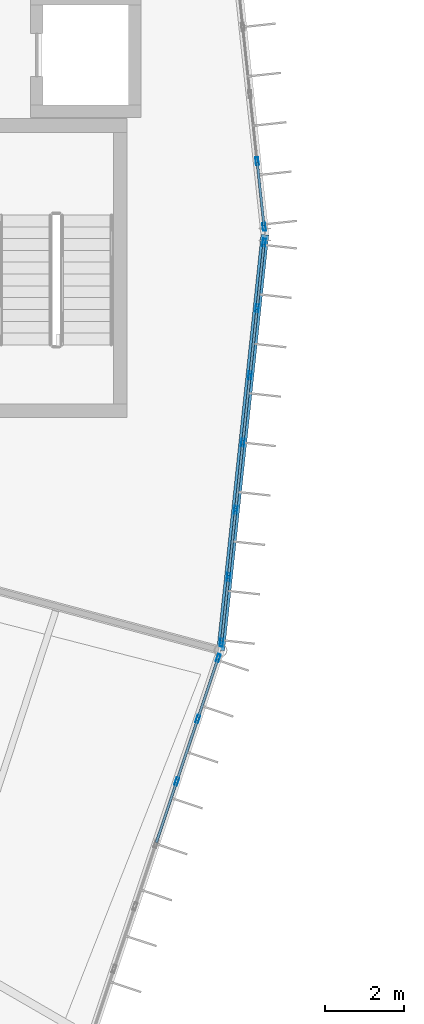
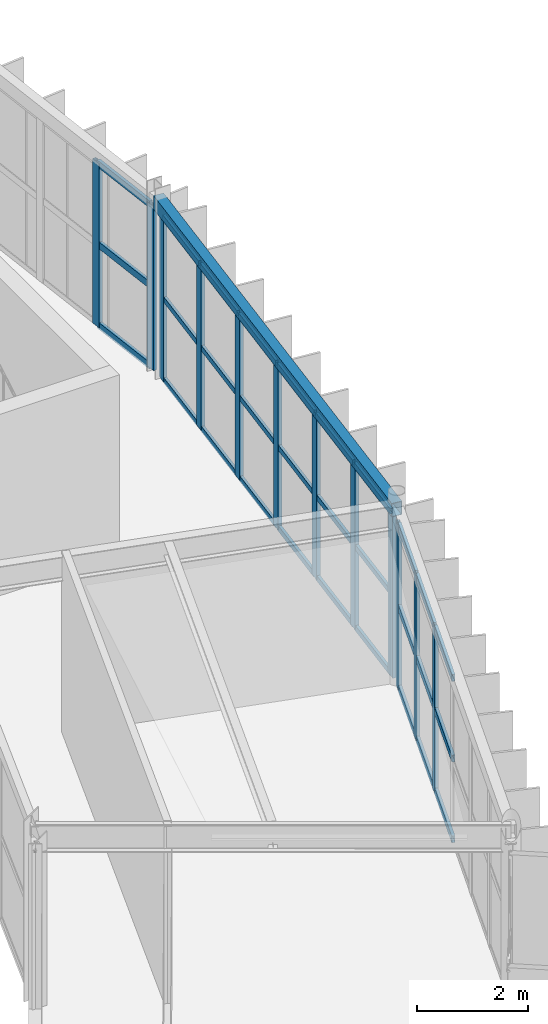
# One storey, part 65 of 147: 42 members, 1 beam, 3 elements without a shape of their own.
"""IFC4 building model written with IfcOpenShell, lengths in metres."""

from ifc_helpers import new_model, si_unit, direction, frame, origin, origin_2d, place, context, subcontext, project, spatial, hollow_rectangle, extrude, material, material_profile, profile_set, type_object, element, aggregate, save


model = new_model("IFC4")

# Units and contexts
model_context = context("Model", 3, precision=1e-05, world=origin(), true_north=direction((0.0, 1.0)))
body_context = subcontext(model_context, "Body", "Model", "MODEL_VIEW")
ifc_project = project(units=[si_unit("LENGTHUNIT", "METRE"), si_unit("AREAUNIT", "SQUARE_METRE"), si_unit("VOLUMEUNIT", "CUBIC_METRE"), si_unit("PLANEANGLEUNIT", "RADIAN"), si_unit("MASSUNIT", "GRAM", prefix="KILO")], contexts=[model_context])

# Site, building, storey
site_placement = place(None, origin())
site = spatial("IfcSite", under=ifc_project, at=site_placement, CompositionType="ELEMENT")
building_placement = place(site_placement, origin())
building = spatial("IfcBuilding", under=site, at=building_placement, Name="Karori Crest Natural Sciences Institute", CompositionType="ELEMENT")
storey_placement = place(building_placement, frame((0.0, 0.0, 9.10009765625)))
storey = spatial("IfcBuildingStorey", under=building, at=storey_placement, Name="L02", CompositionType="ELEMENT", Elevation=9.10009765625)

# Beam
ifc_material_1 = material(Name="Hollow structural steel AS/NZS 1163 Grade C350", Category="steel")
ifc_material_profile_1 = material_profile(ifc_material_1, hollow_rectangle(XDim=0.199951171875, YDim=0.300048828125, WallThickness=0.010009765625, at=origin_2d()), Name="RHS300x200x10")
ifc_profile_set_1 = profile_set([ifc_material_profile_1], Name="Hollow structural steel AS/NZS 1163 Grade C350")
beam_type = type_object("IfcBeamType", Name="BT-15", PredefinedType="SPANDREL", material=ifc_profile_set_1)
beam_placement = place(storey_placement, frame((98.275634765625, 39.340087890625, 3.789794921875), z_axis=(0.105868278464, 0.994380162521, 0.0), x_axis=(-0.994380162521, 0.105868278464, 0.0)))
element("IfcBeam", 1, at=beam_placement, inside=storey, type_object=beam_type, Name="Beam B-0358", PredefinedType="SPANDREL", context=body_context, shape_type="SweptSolid", body=[
    extrude(hollow_rectangle(XDim=0.199951171875, YDim=0.300048828125, WallThickness=0.010009765625, at=origin_2d()), origin(), (0.0, 0.0, 1.0), 10.619384765625),
])

# Curtain wall, members
ifc_material_2 = material(Name="Anodised architectural aluminium 6063-T6", Category="aluminium")
curtain_wall_type_1 = type_object("IfcCurtainWallType", Name="CWT-01", PredefinedType="NOTDEFINED", material=ifc_material_2)
curtain_wall_1_placement = place(storey_placement, origin())
curtain_wall_1 = element("IfcCurtainWall", 2, at=curtain_wall_1_placement, inside=storey, type_object=curtain_wall_type_1, Name="Curtain wall CW-0065", PredefinedType="NOTDEFINED")
ifc_material_profile_2 = material_profile(ifc_material_2, hollow_rectangle(XDim=0.074951171875, YDim=0.199951171875, WallThickness=0.0048828125, at=origin_2d()), Name="CWM200x75x5")
ifc_profile_set_2 = profile_set([ifc_material_profile_2], Name="Anodised architectural aluminium 6063-T6")
member_type_1 = type_object("IfcMemberType", Name="CWM-02", PredefinedType="MULLION", material=ifc_profile_set_2)
member_1_placement = place(storey_placement, frame((99.201416015625, 51.765380859375, 0.0), z_axis=(0.0, 0.0, 1.0), x_axis=(0.994378742451, 0.105881615789, 0.0)))
member_1 = element("IfcMember", 3, at=member_1_placement, type_object=member_type_1, Name="CW-0065 mullion 6", PredefinedType="MULLION", context=body_context, shape_type="SweptSolid", body=[
    extrude(hollow_rectangle(XDim=0.074951171875, YDim=0.199951171875, WallThickness=0.0048828125, at=origin_2d()), origin(), (0.0, 0.0, 1.0), 3.625),
])
member_2_placement = place(storey_placement, frame((99.37890625, 50.098876953125, 0.0), z_axis=(0.0, 0.0, 1.0), x_axis=(0.994378742451, 0.105881615789, 0.0)))
member_2 = element("IfcMember", 4, at=member_2_placement, type_object=member_type_1, Name="CW-0065 mullion 7", PredefinedType="MULLION", context=body_context, shape_type="SweptSolid", body=[
    extrude(hollow_rectangle(XDim=0.074951171875, YDim=0.199951171875, WallThickness=0.0048828125, at=origin_2d()), origin(), (0.0, 0.0, 1.0), 3.625),
])

curtain_wall_type_2 = type_object("IfcCurtainWallType", Name="CWT-03", PredefinedType="NOTDEFINED", material=ifc_material_2)
curtain_wall_2_placement = place(storey_placement, origin())
curtain_wall_2 = element("IfcCurtainWall", 5, at=curtain_wall_2_placement, inside=storey, type_object=curtain_wall_type_2, Name="Curtain wall CW-0097", PredefinedType="NOTDEFINED")
member_3_placement = place(storey_placement, frame((98.212890625, 39.15283203125, 0.0), z_axis=(0.0, 0.0, 1.0), x_axis=(0.948196219586, -0.317685267462, 0.0)))
member_3 = element("IfcMember", 6, at=member_3_placement, type_object=member_type_1, Name="CW-0097 mullion 1", PredefinedType="MULLION", context=body_context, shape_type="SweptSolid", body=[
    extrude(hollow_rectangle(XDim=0.074951171875, YDim=0.199951171875, WallThickness=0.0048828125, at=origin_2d()), origin(), (0.0, 0.0, 1.0), 3.625),
])
member_4_placement = place(storey_placement, frame((97.693115234375, 37.6015625, 0.0), z_axis=(0.0, 0.0, 1.0), x_axis=(0.948196219586, -0.317685267462, 0.0)))
member_4 = element("IfcMember", 7, at=member_4_placement, type_object=member_type_1, Name="CW-0097 mullion 2", PredefinedType="MULLION", context=body_context, shape_type="SweptSolid", body=[
    extrude(hollow_rectangle(XDim=0.074951171875, YDim=0.199951171875, WallThickness=0.0048828125, at=origin_2d()), origin(), (0.0, 0.0, 1.0), 3.625),
])
member_5_placement = place(storey_placement, frame((97.161376953125, 36.0146484375, 0.0), z_axis=(0.0, 0.0, 1.0), x_axis=(0.948196219586, -0.317685267462, 0.0)))
member_5 = element("IfcMember", 8, at=member_5_placement, type_object=member_type_1, Name="CW-0097 mullion 3", PredefinedType="MULLION", context=body_context, shape_type="SweptSolid", body=[
    extrude(hollow_rectangle(XDim=0.074951171875, YDim=0.199951171875, WallThickness=0.0048828125, at=origin_2d()), origin(), (0.0, 0.0, 1.0), 3.625),
])

curtain_wall_type_3 = type_object("IfcCurtainWallType", Name="CWT-04", PredefinedType="NOTDEFINED", material=ifc_material_2)
curtain_wall_3_placement = place(storey_placement, origin())
curtain_wall_3 = element("IfcCurtainWall", 9, at=curtain_wall_3_placement, inside=storey, type_object=curtain_wall_type_3, Name="Curtain wall CW-0099", PredefinedType="NOTDEFINED")
member_6_placement = place(storey_placement, frame((99.37890625, 49.701171875, 0.0), z_axis=(0.0, 0.0, 1.0), x_axis=(0.994378453478, -0.105884329618, 0.0)))
member_6 = element("IfcMember", 10, at=member_6_placement, type_object=member_type_1, Name="CW-0099 mullion 1", PredefinedType="MULLION", context=body_context, shape_type="SweptSolid", body=[
    extrude(hollow_rectangle(XDim=0.074951171875, YDim=0.199951171875, WallThickness=0.0048828125, at=origin_2d()), origin(), (0.0, 0.0, 1.0), 3.625),
])
member_7_placement = place(storey_placement, frame((99.201171875, 48.031982421875, 0.0), z_axis=(0.0, 0.0, 1.0), x_axis=(0.994378453478, -0.105884329618, 0.0)))
member_7 = element("IfcMember", 11, at=member_7_placement, type_object=member_type_1, Name="CW-0099 mullion 2", PredefinedType="MULLION", context=body_context, shape_type="SweptSolid", body=[
    extrude(hollow_rectangle(XDim=0.074951171875, YDim=0.199951171875, WallThickness=0.0048828125, at=origin_2d()), origin(), (0.0, 0.0, 1.0), 3.625),
])
member_8_placement = place(storey_placement, frame((99.019287109375, 46.325439453125, 0.0), z_axis=(0.0, 0.0, 1.0), x_axis=(0.994378453478, -0.105884329618, 0.0)))
member_8 = element("IfcMember", 12, at=member_8_placement, type_object=member_type_1, Name="CW-0099 mullion 3", PredefinedType="MULLION", context=body_context, shape_type="SweptSolid", body=[
    extrude(hollow_rectangle(XDim=0.074951171875, YDim=0.199951171875, WallThickness=0.0048828125, at=origin_2d()), origin(), (0.0, 0.0, 1.0), 3.625),
])
member_9_placement = place(storey_placement, frame((98.837646484375, 44.618896484375, 0.0), z_axis=(0.0, 0.0, 1.0), x_axis=(0.994378453478, -0.105884329618, 0.0)))
member_9 = element("IfcMember", 13, at=member_9_placement, type_object=member_type_1, Name="CW-0099 mullion 4", PredefinedType="MULLION", context=body_context, shape_type="SweptSolid", body=[
    extrude(hollow_rectangle(XDim=0.074951171875, YDim=0.199951171875, WallThickness=0.0048828125, at=origin_2d()), origin(), (0.0, 0.0, 1.0), 3.625),
])
member_10_placement = place(storey_placement, frame((98.656005859375, 42.912353515625, 0.0), z_axis=(0.0, 0.0, 1.0), x_axis=(0.994378453478, -0.105884329618, 0.0)))
member_10 = element("IfcMember", 14, at=member_10_placement, type_object=member_type_1, Name="CW-0099 mullion 5", PredefinedType="MULLION", context=body_context, shape_type="SweptSolid", body=[
    extrude(hollow_rectangle(XDim=0.074951171875, YDim=0.199951171875, WallThickness=0.0048828125, at=origin_2d()), origin(), (0.0, 0.0, 1.0), 3.625),
])
member_11_placement = place(storey_placement, frame((98.47412109375, 41.205810546875, 0.0), z_axis=(0.0, 0.0, 1.0), x_axis=(0.994378453478, -0.105884329618, 0.0)))
member_11 = element("IfcMember", 15, at=member_11_placement, type_object=member_type_1, Name="CW-0099 mullion 6", PredefinedType="MULLION", context=body_context, shape_type="SweptSolid", body=[
    extrude(hollow_rectangle(XDim=0.074951171875, YDim=0.199951171875, WallThickness=0.0048828125, at=origin_2d()), origin(), (0.0, 0.0, 1.0), 3.625),
])
member_12_placement = place(storey_placement, frame((98.29638671875, 39.53662109375, 0.0), z_axis=(0.0, 0.0, 1.0), x_axis=(0.994378453478, -0.105884329618, 0.0)))
member_12 = element("IfcMember", 16, at=member_12_placement, type_object=member_type_1, Name="CW-0099 mullion 7", PredefinedType="MULLION", context=body_context, shape_type="SweptSolid", body=[
    extrude(hollow_rectangle(XDim=0.074951171875, YDim=0.199951171875, WallThickness=0.0048828125, at=origin_2d()), origin(), (0.0, 0.0, 1.0), 3.625),
])
ifc_material_profile_3 = material_profile(ifc_material_2, hollow_rectangle(XDim=0.06005859375, YDim=0.1201171875, WallThickness=0.00390625, at=origin_2d()), Name="CWT120x60x4")
ifc_profile_set_3 = profile_set([ifc_material_profile_3], Name="Anodised architectural aluminium 6063-T6")
member_type_2 = type_object("IfcMemberType", Name="CWT-TR1", PredefinedType="USERDEFINED", material=ifc_profile_set_3)
member_13_placement = place(storey_placement, frame((99.374755859375, 49.663818359375, 0.02978515625), z_axis=(-0.105818086962, -0.994385504959, 0.0), x_axis=(0.994385504959, -0.105818086962, 0.0)))
member_13 = element("IfcMember", 17, at=member_13_placement, type_object=member_type_2, Name="CW-0099 transom 1.1", ObjectType="TRANSOM", PredefinedType="USERDEFINED", context=body_context, shape_type="SweptSolid", body=[
    extrude(hollow_rectangle(XDim=0.06005859375, YDim=0.1201171875, WallThickness=0.00390625, at=origin_2d()), origin(), (0.0, 0.0, 1.0), 1.603515625),
])
member_14_placement = place(storey_placement, frame((99.374755859375, 49.663818359375, 1.8125), z_axis=(-0.105818086962, -0.994385504959, 0.0), x_axis=(0.994385504959, -0.105818086962, 0.0)))
member_14 = element("IfcMember", 18, at=member_14_placement, type_object=member_type_2, Name="CW-0099 transom 1.2", ObjectType="TRANSOM", PredefinedType="USERDEFINED", context=body_context, shape_type="SweptSolid", body=[
    extrude(hollow_rectangle(XDim=0.06005859375, YDim=0.1201171875, WallThickness=0.00390625, at=origin_2d()), origin(), (0.0, 0.0, 1.0), 1.603515625),
])
member_15_placement = place(storey_placement, frame((99.374755859375, 49.663818359375, 3.594970703125), z_axis=(-0.105818086962, -0.994385504959, 0.0), x_axis=(0.994385504959, -0.105818086962, 0.0)))
member_15 = element("IfcMember", 19, at=member_15_placement, type_object=member_type_2, Name="CW-0099 transom 1.3", ObjectType="TRANSOM", PredefinedType="USERDEFINED", context=body_context, shape_type="SweptSolid", body=[
    extrude(hollow_rectangle(XDim=0.06005859375, YDim=0.1201171875, WallThickness=0.00390625, at=origin_2d()), origin(), (0.0, 0.0, 1.0), 1.603515625),
])
member_16_placement = place(storey_placement, frame((99.197021484375, 47.99462890625, 0.02978515625), z_axis=(-0.105776664792, -0.994389912049, 0.0), x_axis=(0.994389912049, -0.105776664792, 0.0)))
member_16 = element("IfcMember", 20, at=member_16_placement, type_object=member_type_2, Name="CW-0099 transom 2.1", ObjectType="TRANSOM", PredefinedType="USERDEFINED", context=body_context, shape_type="SweptSolid", body=[
    extrude(hollow_rectangle(XDim=0.06005859375, YDim=0.1201171875, WallThickness=0.00390625, at=origin_2d()), origin(), (0.0, 0.0, 1.0), 1.64111328125),
])
member_17_placement = place(storey_placement, frame((99.197021484375, 47.99462890625, 1.8125), z_axis=(-0.105776664792, -0.994389912049, 0.0), x_axis=(0.994389912049, -0.105776664792, 0.0)))
member_17 = element("IfcMember", 21, at=member_17_placement, type_object=member_type_2, Name="CW-0099 transom 2.2", ObjectType="TRANSOM", PredefinedType="USERDEFINED", context=body_context, shape_type="SweptSolid", body=[
    extrude(hollow_rectangle(XDim=0.06005859375, YDim=0.1201171875, WallThickness=0.00390625, at=origin_2d()), origin(), (0.0, 0.0, 1.0), 1.64111328125),
])
member_18_placement = place(storey_placement, frame((99.197021484375, 47.99462890625, 3.594970703125), z_axis=(-0.105776664792, -0.994389912049, 0.0), x_axis=(0.994389912049, -0.105776664792, 0.0)))
member_18 = element("IfcMember", 22, at=member_18_placement, type_object=member_type_2, Name="CW-0099 transom 2.3", ObjectType="TRANSOM", PredefinedType="USERDEFINED", context=body_context, shape_type="SweptSolid", body=[
    extrude(hollow_rectangle(XDim=0.06005859375, YDim=0.1201171875, WallThickness=0.00390625, at=origin_2d()), origin(), (0.0, 0.0, 1.0), 1.64111328125),
])
member_19_placement = place(storey_placement, frame((99.015380859375, 46.2880859375, 0.02978515625), z_axis=(-0.105923768436, -0.994374253126, 0.0), x_axis=(0.994374253126, -0.105923768436, 0.0)))
member_19 = element("IfcMember", 23, at=member_19_placement, type_object=member_type_2, Name="CW-0099 transom 3.1", ObjectType="TRANSOM", PredefinedType="USERDEFINED", context=body_context, shape_type="SweptSolid", body=[
    extrude(hollow_rectangle(XDim=0.06005859375, YDim=0.1201171875, WallThickness=0.00390625, at=origin_2d()), origin(), (0.0, 0.0, 1.0), 1.64111328125),
])
member_20_placement = place(storey_placement, frame((99.015380859375, 46.2880859375, 1.8125), z_axis=(-0.105923768436, -0.994374253126, 0.0), x_axis=(0.994374253126, -0.105923768436, 0.0)))
member_20 = element("IfcMember", 24, at=member_20_placement, type_object=member_type_2, Name="CW-0099 transom 3.2", ObjectType="TRANSOM", PredefinedType="USERDEFINED", context=body_context, shape_type="SweptSolid", body=[
    extrude(hollow_rectangle(XDim=0.06005859375, YDim=0.1201171875, WallThickness=0.00390625, at=origin_2d()), origin(), (0.0, 0.0, 1.0), 1.64111328125),
])
member_21_placement = place(storey_placement, frame((99.015380859375, 46.2880859375, 3.594970703125), z_axis=(-0.105923768436, -0.994374253126, 0.0), x_axis=(0.994374253126, -0.105923768436, 0.0)))
member_21 = element("IfcMember", 25, at=member_21_placement, type_object=member_type_2, Name="CW-0099 transom 3.3", ObjectType="TRANSOM", PredefinedType="USERDEFINED", context=body_context, shape_type="SweptSolid", body=[
    extrude(hollow_rectangle(XDim=0.06005859375, YDim=0.1201171875, WallThickness=0.00390625, at=origin_2d()), origin(), (0.0, 0.0, 1.0), 1.64111328125),
])
member_22_placement = place(storey_placement, frame((98.833740234375, 44.58154296875, 0.02978515625), z_axis=(-0.105923768436, -0.994374253126, 0.0), x_axis=(0.994374253126, -0.105923768436, 0.0)))
member_22 = element("IfcMember", 26, at=member_22_placement, type_object=member_type_2, Name="CW-0099 transom 4.1", ObjectType="TRANSOM", PredefinedType="USERDEFINED", context=body_context, shape_type="SweptSolid", body=[
    extrude(hollow_rectangle(XDim=0.06005859375, YDim=0.1201171875, WallThickness=0.00390625, at=origin_2d()), origin(), (0.0, 0.0, 1.0), 1.64111328125),
])
member_23_placement = place(storey_placement, frame((98.833740234375, 44.58154296875, 1.8125), z_axis=(-0.105923768436, -0.994374253126, 0.0), x_axis=(0.994374253126, -0.105923768436, 0.0)))
member_23 = element("IfcMember", 27, at=member_23_placement, type_object=member_type_2, Name="CW-0099 transom 4.2", ObjectType="TRANSOM", PredefinedType="USERDEFINED", context=body_context, shape_type="SweptSolid", body=[
    extrude(hollow_rectangle(XDim=0.06005859375, YDim=0.1201171875, WallThickness=0.00390625, at=origin_2d()), origin(), (0.0, 0.0, 1.0), 1.64111328125),
])
member_24_placement = place(storey_placement, frame((98.833740234375, 44.58154296875, 3.594970703125), z_axis=(-0.105923768436, -0.994374253126, 0.0), x_axis=(0.994374253126, -0.105923768436, 0.0)))
member_24 = element("IfcMember", 28, at=member_24_placement, type_object=member_type_2, Name="CW-0099 transom 4.3", ObjectType="TRANSOM", PredefinedType="USERDEFINED", context=body_context, shape_type="SweptSolid", body=[
    extrude(hollow_rectangle(XDim=0.06005859375, YDim=0.1201171875, WallThickness=0.00390625, at=origin_2d()), origin(), (0.0, 0.0, 1.0), 1.64111328125),
])
member_25_placement = place(storey_placement, frame((98.65185546875, 42.875, 0.02978515625), z_axis=(-0.105776664792, -0.994389912049, 0.0), x_axis=(0.994389912049, -0.105776664792, 0.0)))
member_25 = element("IfcMember", 29, at=member_25_placement, type_object=member_type_2, Name="CW-0099 transom 5.1", ObjectType="TRANSOM", PredefinedType="USERDEFINED", context=body_context, shape_type="SweptSolid", body=[
    extrude(hollow_rectangle(XDim=0.06005859375, YDim=0.1201171875, WallThickness=0.00390625, at=origin_2d()), origin(), (0.0, 0.0, 1.0), 1.64111328125),
])
member_26_placement = place(storey_placement, frame((98.65185546875, 42.875, 1.8125), z_axis=(-0.105776664792, -0.994389912049, 0.0), x_axis=(0.994389912049, -0.105776664792, 0.0)))
member_26 = element("IfcMember", 30, at=member_26_placement, type_object=member_type_2, Name="CW-0099 transom 5.2", ObjectType="TRANSOM", PredefinedType="USERDEFINED", context=body_context, shape_type="SweptSolid", body=[
    extrude(hollow_rectangle(XDim=0.06005859375, YDim=0.1201171875, WallThickness=0.00390625, at=origin_2d()), origin(), (0.0, 0.0, 1.0), 1.64111328125),
])
member_27_placement = place(storey_placement, frame((98.65185546875, 42.875, 3.594970703125), z_axis=(-0.105776664792, -0.994389912049, 0.0), x_axis=(0.994389912049, -0.105776664792, 0.0)))
member_27 = element("IfcMember", 31, at=member_27_placement, type_object=member_type_2, Name="CW-0099 transom 5.3", ObjectType="TRANSOM", PredefinedType="USERDEFINED", context=body_context, shape_type="SweptSolid", body=[
    extrude(hollow_rectangle(XDim=0.06005859375, YDim=0.1201171875, WallThickness=0.00390625, at=origin_2d()), origin(), (0.0, 0.0, 1.0), 1.64111328125),
])
member_28_placement = place(storey_placement, frame((98.47021484375, 41.16845703125, 0.02978515625), z_axis=(-0.105818086962, -0.994385504959, 0.0), x_axis=(0.994385504959, -0.105818086962, 0.0)))
member_28 = element("IfcMember", 32, at=member_28_placement, type_object=member_type_2, Name="CW-0099 transom 6.1", ObjectType="TRANSOM", PredefinedType="USERDEFINED", context=body_context, shape_type="SweptSolid", body=[
    extrude(hollow_rectangle(XDim=0.06005859375, YDim=0.1201171875, WallThickness=0.00390625, at=origin_2d()), origin(), (0.0, 0.0, 1.0), 1.603515625),
])
member_29_placement = place(storey_placement, frame((98.47021484375, 41.16845703125, 1.8125), z_axis=(-0.105818086962, -0.994385504959, 0.0), x_axis=(0.994385504959, -0.105818086962, 0.0)))
member_29 = element("IfcMember", 33, at=member_29_placement, type_object=member_type_2, Name="CW-0099 transom 6.2", ObjectType="TRANSOM", PredefinedType="USERDEFINED", context=body_context, shape_type="SweptSolid", body=[
    extrude(hollow_rectangle(XDim=0.06005859375, YDim=0.1201171875, WallThickness=0.00390625, at=origin_2d()), origin(), (0.0, 0.0, 1.0), 1.603515625),
])
member_30_placement = place(storey_placement, frame((98.47021484375, 41.16845703125, 3.594970703125), z_axis=(-0.105818086962, -0.994385504959, 0.0), x_axis=(0.994385504959, -0.105818086962, 0.0)))
member_30 = element("IfcMember", 34, at=member_30_placement, type_object=member_type_2, Name="CW-0099 transom 6.3", ObjectType="TRANSOM", PredefinedType="USERDEFINED", context=body_context, shape_type="SweptSolid", body=[
    extrude(hollow_rectangle(XDim=0.06005859375, YDim=0.1201171875, WallThickness=0.00390625, at=origin_2d()), origin(), (0.0, 0.0, 1.0), 1.603515625),
])
aggregate(curtain_wall_3, [member_6, member_7, member_8, member_9, member_10, member_11, member_12, member_13, member_14, member_15, member_16, member_17, member_18, member_19, member_20, member_21, member_22, member_23, member_24, member_25, member_26, member_27, member_28, member_29, member_30])

# Member
ifc_material_profile_4 = material_profile(ifc_material_2, hollow_rectangle(XDim=0.06494140625, YDim=0.14990234375, WallThickness=0.00390625, at=origin_2d()), Name="CWT150x65x4")
ifc_profile_set_4 = profile_set([ifc_material_profile_4], Name="Anodised architectural aluminium 6063-T6")
member_type_3 = type_object("IfcMemberType", Name="CWT-TR2", PredefinedType="USERDEFINED", material=ifc_profile_set_4)
member_31_placement = place(storey_placement, frame((99.205322265625, 51.72802734375, 0.032470703125), z_axis=(0.105827760466, -0.9943844755, 0.0), x_axis=(0.9943844755, 0.105827760466, 0.0)))
member_31 = element("IfcMember", 35, at=member_31_placement, type_object=member_type_3, Name="CW-0065 transom 6.1", ObjectType="TRANSOM", PredefinedType="USERDEFINED", context=body_context, shape_type="SweptSolid", body=[
    extrude(hollow_rectangle(XDim=0.06494140625, YDim=0.14990234375, WallThickness=0.00390625, at=origin_2d()), origin(), (0.0, 0.0, 1.0), 1.60107421875),
])

member_32_placement = place(storey_placement, frame((99.205322265625, 51.72802734375, 1.8125), z_axis=(0.105827760466, -0.9943844755, 0.0), x_axis=(0.9943844755, 0.105827760466, 0.0)))
member_32 = element("IfcMember", 36, at=member_32_placement, type_object=member_type_3, Name="CW-0065 transom 6.2", ObjectType="TRANSOM", PredefinedType="USERDEFINED", context=body_context, shape_type="SweptSolid", body=[
    extrude(hollow_rectangle(XDim=0.06494140625, YDim=0.14990234375, WallThickness=0.00390625, at=origin_2d()), origin(), (0.0, 0.0, 1.0), 1.60107421875),
])

member_33_placement = place(storey_placement, frame((99.205322265625, 51.72802734375, 3.59228515625), z_axis=(0.105827760466, -0.9943844755, 0.0), x_axis=(0.9943844755, 0.105827760466, 0.0)))
member_33 = element("IfcMember", 37, at=member_33_placement, type_object=member_type_3, Name="CW-0065 transom 6.3", ObjectType="TRANSOM", PredefinedType="USERDEFINED", context=body_context, shape_type="SweptSolid", body=[
    extrude(hollow_rectangle(XDim=0.06494140625, YDim=0.14990234375, WallThickness=0.00390625, at=origin_2d()), origin(), (0.0, 0.0, 1.0), 1.60107421875),
])

aggregate(curtain_wall_1, [member_1, member_2, member_31, member_32, member_33])

member_34_placement = place(storey_placement, frame((98.200927734375, 39.117431640625, 0.032470703125), z_axis=(-0.317634958397, -0.948213073736, 0.0), x_axis=(0.948213073736, -0.317634958397, 0.0)))
member_34 = element("IfcMember", 38, at=member_34_placement, type_object=member_type_3, Name="CW-0097 transom 1.1", ObjectType="TRANSOM", PredefinedType="USERDEFINED", context=body_context, shape_type="SweptSolid", body=[
    extrude(hollow_rectangle(XDim=0.06494140625, YDim=0.14990234375, WallThickness=0.00390625, at=origin_2d()), origin(), (0.0, 0.0, 1.0), 1.56103515625),
])

member_35_placement = place(storey_placement, frame((98.200927734375, 39.117431640625, 1.8125), z_axis=(-0.317634958397, -0.948213073736, 0.0), x_axis=(0.948213073736, -0.317634958397, 0.0)))
member_35 = element("IfcMember", 39, at=member_35_placement, type_object=member_type_3, Name="CW-0097 transom 1.2", ObjectType="TRANSOM", PredefinedType="USERDEFINED", context=body_context, shape_type="SweptSolid", body=[
    extrude(hollow_rectangle(XDim=0.06494140625, YDim=0.14990234375, WallThickness=0.00390625, at=origin_2d()), origin(), (0.0, 0.0, 1.0), 1.56103515625),
])

member_36_placement = place(storey_placement, frame((98.200927734375, 39.117431640625, 3.59228515625), z_axis=(-0.317634958397, -0.948213073736, 0.0), x_axis=(0.948213073736, -0.317634958397, 0.0)))
member_36 = element("IfcMember", 40, at=member_36_placement, type_object=member_type_3, Name="CW-0097 transom 1.3", ObjectType="TRANSOM", PredefinedType="USERDEFINED", context=body_context, shape_type="SweptSolid", body=[
    extrude(hollow_rectangle(XDim=0.06494140625, YDim=0.14990234375, WallThickness=0.00390625, at=origin_2d()), origin(), (0.0, 0.0, 1.0), 1.56103515625),
])

member_37_placement = place(storey_placement, frame((97.68115234375, 37.56591796875, 0.032470703125), z_axis=(-0.317647663217, -0.948208817747, 0.0), x_axis=(0.948208817747, -0.317647663217, 0.0)))
member_37 = element("IfcMember", 41, at=member_37_placement, type_object=member_type_3, Name="CW-0097 transom 2.1", ObjectType="TRANSOM", PredefinedType="USERDEFINED", context=body_context, shape_type="SweptSolid", body=[
    extrude(hollow_rectangle(XDim=0.06494140625, YDim=0.14990234375, WallThickness=0.00390625, at=origin_2d()), origin(), (0.0, 0.0, 1.0), 1.5986328125),
])

member_38_placement = place(storey_placement, frame((97.68115234375, 37.56591796875, 1.8125), z_axis=(-0.317647663217, -0.948208817747, 0.0), x_axis=(0.948208817747, -0.317647663217, 0.0)))
member_38 = element("IfcMember", 42, at=member_38_placement, type_object=member_type_3, Name="CW-0097 transom 2.2", ObjectType="TRANSOM", PredefinedType="USERDEFINED", context=body_context, shape_type="SweptSolid", body=[
    extrude(hollow_rectangle(XDim=0.06494140625, YDim=0.14990234375, WallThickness=0.00390625, at=origin_2d()), origin(), (0.0, 0.0, 1.0), 1.5986328125),
])

member_39_placement = place(storey_placement, frame((97.68115234375, 37.56591796875, 3.59228515625), z_axis=(-0.317647663217, -0.948208817747, 0.0), x_axis=(0.948208817747, -0.317647663217, 0.0)))
member_39 = element("IfcMember", 43, at=member_39_placement, type_object=member_type_3, Name="CW-0097 transom 2.3", ObjectType="TRANSOM", PredefinedType="USERDEFINED", context=body_context, shape_type="SweptSolid", body=[
    extrude(hollow_rectangle(XDim=0.06494140625, YDim=0.14990234375, WallThickness=0.00390625, at=origin_2d()), origin(), (0.0, 0.0, 1.0), 1.5986328125),
])

member_40_placement = place(storey_placement, frame((97.1494140625, 35.97900390625, 0.032470703125), z_axis=(-0.317647663217, -0.948208817747, 0.0), x_axis=(0.948208817747, -0.317647663217, 0.0)))
member_40 = element("IfcMember", 44, at=member_40_placement, type_object=member_type_3, Name="CW-0097 transom 3.1", ObjectType="TRANSOM", PredefinedType="USERDEFINED", context=body_context, shape_type="SweptSolid", body=[
    extrude(hollow_rectangle(XDim=0.06494140625, YDim=0.14990234375, WallThickness=0.00390625, at=origin_2d()), origin(), (0.0, 0.0, 1.0), 1.5986328125),
])

member_41_placement = place(storey_placement, frame((97.1494140625, 35.97900390625, 1.8125), z_axis=(-0.317647663217, -0.948208817747, 0.0), x_axis=(0.948208817747, -0.317647663217, 0.0)))
member_41 = element("IfcMember", 45, at=member_41_placement, type_object=member_type_3, Name="CW-0097 transom 3.2", ObjectType="TRANSOM", PredefinedType="USERDEFINED", context=body_context, shape_type="SweptSolid", body=[
    extrude(hollow_rectangle(XDim=0.06494140625, YDim=0.14990234375, WallThickness=0.00390625, at=origin_2d()), origin(), (0.0, 0.0, 1.0), 1.5986328125),
])

member_42_placement = place(storey_placement, frame((97.1494140625, 35.97900390625, 3.59228515625), z_axis=(-0.317647663217, -0.948208817747, 0.0), x_axis=(0.948208817747, -0.317647663217, 0.0)))
member_42 = element("IfcMember", 46, at=member_42_placement, type_object=member_type_3, Name="CW-0097 transom 3.3", ObjectType="TRANSOM", PredefinedType="USERDEFINED", context=body_context, shape_type="SweptSolid", body=[
    extrude(hollow_rectangle(XDim=0.06494140625, YDim=0.14990234375, WallThickness=0.00390625, at=origin_2d()), origin(), (0.0, 0.0, 1.0), 1.5986328125),
])

aggregate(curtain_wall_2, [member_3, member_4, member_5, member_34, member_35, member_36, member_37, member_38, member_39, member_40, member_41, member_42])

save(model, "model.ifc")
